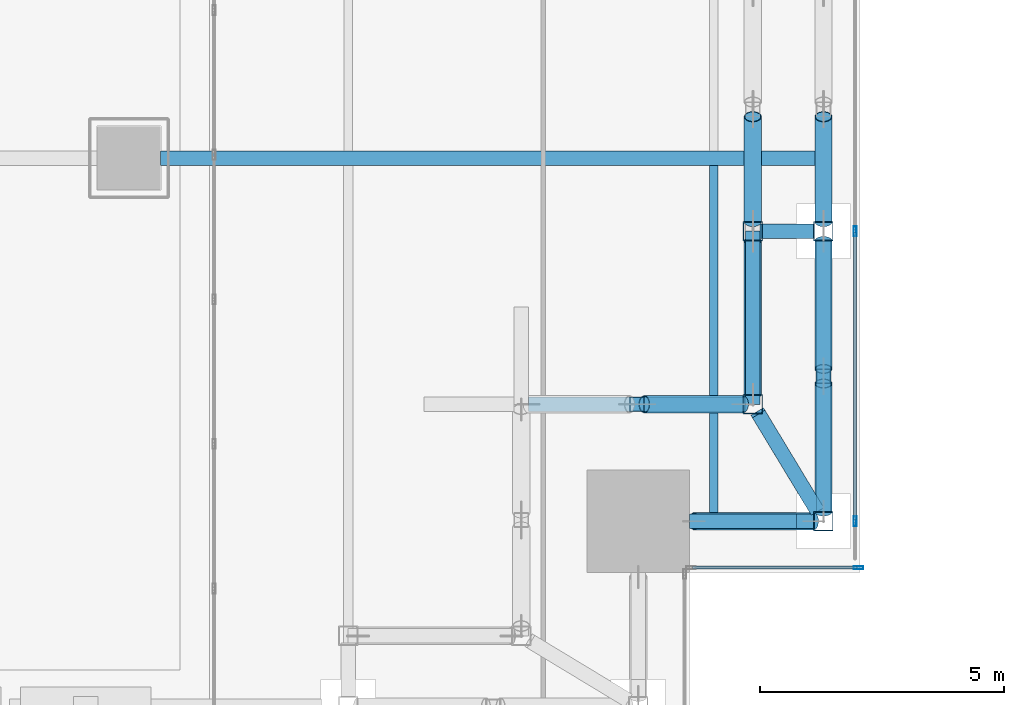
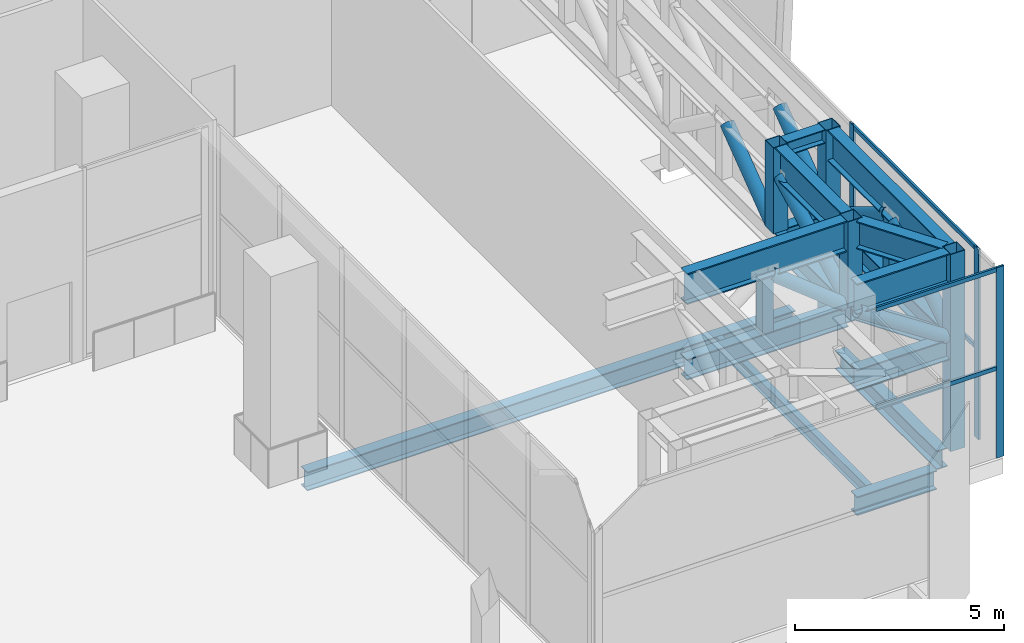
# One storey, part 14 of 47: 28 members, 8 beams, 2 elements without a shape of their own.
"""IFC4 building model written with IfcOpenShell, lengths in metres."""

from ifc_helpers import new_model, si_unit, direction, frame, origin, origin_2d, place, context, subcontext, project, spatial, hollow_rectangle, hollow_circle, i_section, extrude, source, transform, mapped, material, material_profile, profile_set, type_object, element, aggregate, save


model = new_model("IFC4")

# Units and contexts
model_context = context("Model", 3, precision=1e-05, world=origin(), true_north=direction((0.0, 1.0)))
body_context = subcontext(model_context, "Body", "Model", "MODEL_VIEW")
ifc_project = project(units=[si_unit("LENGTHUNIT", "METRE"), si_unit("AREAUNIT", "SQUARE_METRE"), si_unit("VOLUMEUNIT", "CUBIC_METRE"), si_unit("PLANEANGLEUNIT", "RADIAN"), si_unit("MASSUNIT", "GRAM", prefix="KILO")], contexts=[model_context])

# Site, building, storey
site_placement = place(None, origin())
site = spatial("IfcSite", under=ifc_project, at=site_placement, CompositionType="ELEMENT")
building_placement = place(site_placement, origin())
building = spatial("IfcBuilding", under=site, at=building_placement, Name="Khomas Fold Tower", CompositionType="ELEMENT")
storey_placement = place(building_placement, frame((0.0, 0.0, 158.699951171875)))
storey = spatial("IfcBuildingStorey", under=building, at=storey_placement, Name="L34", CompositionType="ELEMENT", Elevation=158.699951171875)

# Beams
ifc_material_1 = material(Name="Steel S355", Category="steel")
ifc_material_profile_1 = material_profile(ifc_material_1, i_section(OverallWidth=0.169921875, OverallDepth=0.360107421875, WebThickness=0.008056640625, FlangeThickness=0.0126953125, at=origin_2d()), Name="IPE 360")
ifc_profile_set_1 = profile_set([ifc_material_profile_1], Name="Steel S355")
beam_type_1 = type_object("IfcBeamType", Name="IPE 360 beam JB2", PredefinedType="BEAM", material=ifc_profile_set_1)
shared_shape_1 = source(origin(), body_context, "Body", "SweptSolid", [
    extrude(i_section(OverallWidth=0.169921875, OverallDepth=0.360107421875, WebThickness=0.008056640625, FlangeThickness=0.0126953125, at=origin_2d()), origin(), (0.0, 0.0, 1.0), 7.150146484375),
])
beam_1_placement = place(storey_placement, frame((49.5, 6.199951171875, -0.6298828125), z_axis=(0.0, 1.0, 0.0), x_axis=(-1.0, 0.0, 0.0)))
element("IfcBeam", 1, at=beam_1_placement, inside=storey, type_object=beam_type_1, Name="JB2", PredefinedType="BEAM", context=body_context, shape_type="MappedRepresentation", body=[
    mapped(shared_shape_1, transform((0.0, 0.0, 0.0))),
])
ifc_material_2 = material(Name="Steel S355", Category="steel")
ifc_material_profile_2 = material_profile(ifc_material_2, i_section(OverallWidth=0.300048828125, OverallDepth=0.550048828125, WebThickness=0.014892578125, FlangeThickness=0.029052734375, at=origin_2d()), Name="HE 550 B")
ifc_profile_set_2 = profile_set([ifc_material_profile_2], Name="Steel S355")
beam_type_2 = type_object("IfcBeamType", Name="HE 550 B spandrel SB2", PredefinedType="SPANDREL", material=ifc_profile_set_2)
shared_shape_2 = source(origin(), body_context, "Body", "SweptSolid", [
    extrude(i_section(OverallWidth=0.300048828125, OverallDepth=0.550048828125, WebThickness=0.014892578125, FlangeThickness=0.029052734375, at=origin_2d()), origin(), (0.0, 0.0, 1.0), 4.849853515625),
])
beam_2_placement = place(storey_placement, frame((51.75, 6.60009765625, -0.724853515625), z_axis=(0.0, 1.0, 0.0), x_axis=(-1.0, 0.0, 0.0)))
element("IfcBeam", 2, at=beam_2_placement, inside=storey, type_object=beam_type_2, Name="SB2", PredefinedType="SPANDREL", context=body_context, shape_type="MappedRepresentation", body=[
    mapped(shared_shape_2, transform((0.0, 0.0, 0.0))),
])
shared_shape_3 = source(origin(), body_context, "Body", "SweptSolid", [
    extrude(i_section(OverallWidth=0.300048828125, OverallDepth=0.550048828125, WebThickness=0.014892578125, FlangeThickness=0.029052734375, at=origin_2d()), origin(), (0.0, 0.0, 1.0), 2.199951171875),
])
beam_3_placement = place(storey_placement, frame((49.0, 6.050048828125, -0.724853515625), z_axis=(1.0, 0.0, 0.0), x_axis=(0.0, 1.0, 0.0)))
element("IfcBeam", 3, at=beam_3_placement, inside=storey, type_object=beam_type_2, Name="SB2", PredefinedType="SPANDREL", context=body_context, shape_type="MappedRepresentation", body=[
    mapped(shared_shape_3, transform((0.0, 0.0, 0.0))),
])
ifc_material_3 = material(Name="Steel S355", Category="steel")
ifc_material_profile_3 = material_profile(ifc_material_3, i_section(OverallWidth=0.300048828125, OverallDepth=0.550048828125, WebThickness=0.014892578125, FlangeThickness=0.029052734375, at=origin_2d()), Name="HE 550 B")
ifc_profile_set_3 = profile_set([ifc_material_profile_3], Name="Steel S355")
beam_type_3 = type_object("IfcBeamType", Name="HE 550 B beam GB4", PredefinedType="BEAM", material=ifc_profile_set_3)
shared_shape_4 = source(origin(), body_context, "Body", "SweptSolid", [
    extrude(i_section(OverallWidth=0.300048828125, OverallDepth=0.550048828125, WebThickness=0.014892578125, FlangeThickness=0.029052734375, at=origin_2d()), origin(), (0.0, 0.0, 1.0), 13.4501953125),
])
beam_4_placement = place(storey_placement, frame((38.14990234375, 13.5, -0.724853515625), z_axis=(1.0, 0.0, 0.0), x_axis=(0.0, 1.0, 0.0)))
element("IfcBeam", 4, at=beam_4_placement, inside=storey, type_object=beam_type_3, Name="GB4", PredefinedType="BEAM", context=body_context, shape_type="MappedRepresentation", body=[
    mapped(shared_shape_4, transform((0.0, 0.0, 0.0))),
])

# Members
ifc_material_4 = material(Name="Steel S460M", Category="steel")
ifc_material_profile_4 = material_profile(ifc_material_4, i_section(OverallWidth=0.300048828125, OverallDepth=0.89990234375, WebThickness=0.0185546875, FlangeThickness=0.034912109375, at=origin_2d()), Name="HE 900 B")
ifc_profile_set_4 = profile_set([ifc_material_profile_4], Name="Steel S460M")
member_type_1 = type_object("IfcMemberType", Name="BELT TRUSS 2 TOP CHORD HE 900 B", PredefinedType="CHORD", material=ifc_profile_set_4)
shared_shape_5 = source(origin(), body_context, "Body", "SweptSolid", [
    extrude(i_section(OverallWidth=0.300048828125, OverallDepth=0.89990234375, WebThickness=0.0185546875, FlangeThickness=0.034912109375, at=origin_2d()), origin(), (0.0, 0.0, 1.0), 5.550048828125),
])
member_1_placement = place(storey_placement, frame((51.75, 6.25, 5.300048828125), z_axis=(0.0, 1.0, 0.0), x_axis=(-1.0, 0.0, 0.0)))
element("IfcMember", 5, at=member_1_placement, inside=storey, type_object=member_type_1, Name="BT2-CT", PredefinedType="CHORD", context=body_context, shape_type="MappedRepresentation", body=[
    mapped(shared_shape_5, transform((0.0, 0.0, 0.0))),
])
ifc_material_5 = material(Name="Steel S355", Category="steel")
ifc_material_profile_5 = material_profile(ifc_material_5, i_section(OverallWidth=0.300048828125, OverallDepth=0.60009765625, WebThickness=0.015380859375, FlangeThickness=0.030029296875, at=origin_2d()), Name="HE 600 B")
ifc_profile_set_5 = profile_set([ifc_material_profile_5], Name="Steel S355")
member_type_2 = type_object("IfcMemberType", Name="BELT TRUSS 2 BOTTOM CHORD SHORT HE 600 B", PredefinedType="CHORD", material=ifc_profile_set_5)
shared_shape_6 = source(origin(), body_context, "Body", "SweptSolid", [
    extrude(i_section(OverallWidth=0.300048828125, OverallDepth=0.60009765625, WebThickness=0.015380859375, FlangeThickness=0.030029296875, at=origin_2d()), origin(), (0.0, 0.0, 1.0), 5.550048828125),
])
member_2_placement = place(storey_placement, frame((51.75, 6.25, 2.949951171875), z_axis=(0.0, 1.0, 0.0), x_axis=(-1.0, 0.0, 0.0)))
element("IfcMember", 6, at=member_2_placement, inside=storey, type_object=member_type_2, Name="BT2-CBS", PredefinedType="CHORD", context=body_context, shape_type="MappedRepresentation", body=[
    mapped(shared_shape_6, transform((0.0, 0.0, 0.0))),
])
ifc_material_6 = material(Name="Steel S355", Category="steel")
ifc_material_profile_6 = material_profile(ifc_material_6, hollow_circle(Radius=0.177734375, WallThickness=0.01611328125, at=origin_2d()), Name="CHS 355.6x16")
ifc_profile_set_6 = profile_set([ifc_material_profile_6], Name="Steel S355")
member_type_3 = type_object("IfcMemberType", Name="BELT TRUSS 2 DIAGONAL CHS 355.6x16", PredefinedType="BRACE", material=ifc_profile_set_6)
shared_shape_7 = source(origin(), body_context, "Body", "SweptSolid", [
    extrude(hollow_circle(Radius=0.177734375, WallThickness=0.01611328125, at=origin_2d()), origin(), (0.0, 0.0, 1.0), 3.079345703125),
])
for number, where, z_axis, x_axis, name in (
    (7, (51.75, 6.25, 3.2451171875), (0.0, 0.852457646083, 0.522796290762), (-1.0, 0.0, 0.0), "BT2-D"),
    (8, (51.75, 9.175048828125, 4.85498046875), (0.0, 0.852457646083, -0.522796290762), (-1.0, 0.0, 0.0), "BT2-D"),
):
    element("IfcMember", number, at=place(storey_placement, frame(where, z_axis=z_axis, x_axis=x_axis)), inside=storey, type_object=member_type_3, Name=name, PredefinedType="BRACE", context=body_context, shape_type="MappedRepresentation", body=[
        mapped(shared_shape_7, transform((0.0, 0.0, 0.0))),
    ])
ifc_material_7 = material(Name="Steel S355", Category="steel")
ifc_material_profile_7 = material_profile(ifc_material_7, hollow_rectangle(XDim=0.300048828125, YDim=0.300048828125, WallThickness=0.012451171875, at=origin_2d()), Name="SHS 300x300x12.5")
ifc_profile_set_7 = profile_set([ifc_material_profile_7], Name="Steel S355")
member_type_4 = type_object("IfcMemberType", Name="BELT TRUSS 2 MID POST SHS 300x300x12.5", PredefinedType="POST", material=ifc_profile_set_7)
shared_shape_8 = source(origin(), body_context, "Body", "SweptSolid", [
    extrude(hollow_rectangle(XDim=0.300048828125, YDim=0.300048828125, WallThickness=0.012451171875, at=origin_2d()), origin(), (0.0, 0.0, 1.0), 1.60009765625),
])
for number, where, z_axis, x_axis, name in (
    (9, (51.75, 9.02490234375, 3.25), (0.0, 0.0, 1.0), (1.0, 0.0, 0.0), "BT2-M"),
    (10, (47.925048828125, 8.449951171875, 3.25), (0.0, 0.0, 1.0), (1.0, 0.0, 0.0), "BT2-M"),
):
    element("IfcMember", number, at=place(storey_placement, frame(where, z_axis=z_axis, x_axis=x_axis)), inside=storey, type_object=member_type_4, Name=name, PredefinedType="POST", context=body_context, shape_type="MappedRepresentation", body=[
        mapped(shared_shape_8, transform((0.0, 0.0, 0.0))),
    ])
shared_shape_9 = source(origin(), body_context, "Body", "SweptSolid", [
    extrude(hollow_circle(Radius=0.177734375, WallThickness=0.01611328125, at=origin_2d()), origin(), (0.0, 0.0, 1.0), 2.68603515625),
])
for number, where, z_axis, x_axis, name in (
    (11, (51.75, 12.199951171875, 3.2451171875), (0.0, 0.800490552016, 0.599345372998), (-1.0, 0.0, 0.0), "BT2-D"),
    (12, (50.300048828125, 12.199951171875, 3.2451171875), (0.0, 0.800490552016, 0.599345372998), (-1.0, 0.0, 0.0), "BT2-D"),
):
    element("IfcMember", number, at=place(storey_placement, frame(where, z_axis=z_axis, x_axis=x_axis)), inside=storey, type_object=member_type_3, Name=name, PredefinedType="BRACE", context=body_context, shape_type="MappedRepresentation", body=[
        mapped(shared_shape_9, transform((0.0, 0.0, 0.0))),
    ])
ifc_material_8 = material(Name="Steel S460M", Category="steel")
ifc_material_profile_8 = material_profile(ifc_material_8, i_section(OverallWidth=0.300048828125, OverallDepth=0.89990234375, WebThickness=0.0185546875, FlangeThickness=0.034912109375, at=origin_2d()), Name="HE 900 B")
ifc_profile_set_8 = profile_set([ifc_material_profile_8], Name="Steel S460M")
member_type_5 = type_object("IfcMemberType", Name="BELT TRUSS 2 TOP CHORD SHORTER HE 900 B", PredefinedType="CHORD", material=ifc_profile_set_8)
shared_shape_10 = source(origin(), body_context, "Body", "SweptSolid", [
    extrude(i_section(OverallWidth=0.300048828125, OverallDepth=0.89990234375, WebThickness=0.0185546875, FlangeThickness=0.034912109375, at=origin_2d()), origin(), (0.0, 0.0, 1.0), 2.550048828125),
])
member_3_placement = place(storey_placement, frame((51.550048828125, 6.050048828125, 5.300048828125), z_axis=(-1.0, 0.0, 0.0), x_axis=(0.0, -1.0, 0.0)))
element("IfcMember", 13, at=member_3_placement, inside=storey, type_object=member_type_5, Name="BT2-CTSS", PredefinedType="CHORD", context=body_context, shape_type="MappedRepresentation", body=[
    mapped(shared_shape_10, transform((0.0, 0.0, 0.0))),
])
ifc_material_9 = material(Name="Steel S355", Category="steel")
ifc_material_profile_9 = material_profile(ifc_material_9, i_section(OverallWidth=0.300048828125, OverallDepth=0.60009765625, WebThickness=0.015380859375, FlangeThickness=0.030029296875, at=origin_2d()), Name="HE 600 B")
ifc_profile_set_9 = profile_set([ifc_material_profile_9], Name="Steel S355")
member_type_6 = type_object("IfcMemberType", Name="BELT TRUSS 2 BOTTOM CHORD SHORTER HE 600 B", PredefinedType="CHORD", material=ifc_profile_set_9)
shared_shape_11 = source(origin(), body_context, "Body", "SweptSolid", [
    extrude(i_section(OverallWidth=0.300048828125, OverallDepth=0.60009765625, WebThickness=0.015380859375, FlangeThickness=0.030029296875, at=origin_2d()), origin(), (0.0, 0.0, 1.0), 2.550048828125),
])
member_4_placement = place(storey_placement, frame((51.550048828125, 6.050048828125, 2.949951171875), z_axis=(-1.0, 0.0, 0.0), x_axis=(0.0, -1.0, 0.0)))
element("IfcMember", 14, at=member_4_placement, inside=storey, type_object=member_type_6, Name="BT2-CBSS", PredefinedType="CHORD", context=body_context, shape_type="MappedRepresentation", body=[
    mapped(shared_shape_11, transform((0.0, 0.0, 0.0))),
])
shared_shape_12 = source(origin(), body_context, "Body", "SweptSolid", [
    extrude(hollow_circle(Radius=0.177734375, WallThickness=0.01611328125, at=origin_2d()), origin(), (0.0, 0.0, 1.0), 2.936279296875),
])
member_5_placement = place(storey_placement, frame((51.550048828125, 6.050048828125, 3.2451171875), z_axis=(-0.836298117849, 0.0, 0.548274984002), x_axis=(0.0, -1.0, 0.0)))
element("IfcMember", 15, at=member_5_placement, inside=storey, type_object=member_type_3, Name="BT2-D", PredefinedType="BRACE", context=body_context, shape_type="MappedRepresentation", body=[
    mapped(shared_shape_12, transform((0.0, 0.0, 0.0))),
])
ifc_material_10 = material(Name="Steel S460M", Category="steel")
ifc_material_profile_10 = material_profile(ifc_material_10, i_section(OverallWidth=0.300048828125, OverallDepth=0.89990234375, WebThickness=0.0185546875, FlangeThickness=0.034912109375, at=origin_2d()), Name="HE 900 B")
ifc_profile_set_10 = profile_set([ifc_material_profile_10], Name="Steel S460M")
member_type_7 = type_object("IfcMemberType", Name="BELT TRUSS 2 TOP CHORD SHORT HE 900 B", PredefinedType="CHORD", material=ifc_profile_set_10)
shared_shape_13 = source(origin(), body_context, "Body", "SweptSolid", [
    extrude(i_section(OverallWidth=0.300048828125, OverallDepth=0.89990234375, WebThickness=0.0185546875, FlangeThickness=0.034912109375, at=origin_2d()), origin(), (0.0, 0.0, 1.0), 3.150146484375),
])
member_6_placement = place(storey_placement, frame((50.300048828125, 8.64990234375, 5.300048828125), z_axis=(0.0, 1.0, 0.0), x_axis=(-1.0, 0.0, 0.0)))
element("IfcMember", 16, at=member_6_placement, inside=storey, type_object=member_type_7, Name="BT2-CTS", PredefinedType="CHORD", context=body_context, shape_type="MappedRepresentation", body=[
    mapped(shared_shape_13, transform((0.0, 0.0, 0.0))),
])
shared_shape_14 = source(origin(), body_context, "Body", "SweptSolid", [
    extrude(hollow_circle(Radius=0.177734375, WallThickness=0.01611328125, at=origin_2d()), origin(), (0.0, 0.0, 1.0), 3.53759765625),
])
member_7_placement = place(storey_placement, frame((50.300048828125, 8.64990234375, 3.2451171875), z_axis=(0.0, 0.890458918819, 0.455063637193), x_axis=(-1.0, 0.0, 0.0)))
element("IfcMember", 17, at=member_7_placement, inside=storey, type_object=member_type_3, Name="BT2-D", PredefinedType="BRACE", context=body_context, shape_type="MappedRepresentation", body=[
    mapped(shared_shape_14, transform((0.0, 0.0, 0.0))),
])
shared_shape_15 = source(origin(), body_context, "Body", "SweptSolid", [
    extrude(i_section(OverallWidth=0.300048828125, OverallDepth=0.60009765625, WebThickness=0.015380859375, FlangeThickness=0.030029296875, at=origin_2d()), origin(), (0.0, 0.0, 1.0), 3.550048828125),
])
member_8_placement = place(storey_placement, frame((50.300048828125, 8.449951171875, 2.949951171875), z_axis=(0.0, 1.0, 0.0), x_axis=(-1.0, 0.0, 0.0)))
element("IfcMember", 18, at=member_8_placement, inside=storey, type_object=member_type_6, Name="BT2-CBSS", PredefinedType="CHORD", context=body_context, shape_type="MappedRepresentation", body=[
    mapped(shared_shape_15, transform((0.0, 0.0, 0.0))),
])
shared_shape_16 = source(origin(), body_context, "Body", "SweptSolid", [
    extrude(hollow_circle(Radius=0.177734375, WallThickness=0.01611328125, at=origin_2d()), origin(), (0.0, 0.0, 1.0), 2.587158203125),
])
member_9_placement = place(storey_placement, frame((50.10009765625, 8.449951171875, 3.2451171875), z_axis=(-0.782798501994, 0.0, 0.622275264876), x_axis=(0.0, -1.0, 0.0)))
element("IfcMember", 19, at=member_9_placement, inside=storey, type_object=member_type_3, Name="BT2-D", PredefinedType="BRACE", context=body_context, shape_type="MappedRepresentation", body=[
    mapped(shared_shape_16, transform((0.0, 0.0, 0.0))),
])
shared_shape_17 = source(origin(), body_context, "Body", "SweptSolid", [
    extrude(i_section(OverallWidth=0.300048828125, OverallDepth=0.89990234375, WebThickness=0.0185546875, FlangeThickness=0.034912109375, at=origin_2d()), origin(), (0.0, 0.0, 1.0), 4.400146484375),
])
member_10_placement = place(storey_placement, frame((50.10009765625, 8.449951171875, 5.300048828125), z_axis=(-1.0, 0.0, 0.0), x_axis=(0.0, -1.0, 0.0)))
element("IfcMember", 20, at=member_10_placement, inside=storey, type_object=member_type_7, Name="BT2-CTS", PredefinedType="CHORD", context=body_context, shape_type="MappedRepresentation", body=[
    mapped(shared_shape_17, transform((0.0, 0.0, 0.0))),
])
shared_shape_18 = source(origin(), body_context, "Body", "SweptSolid", [
    extrude(i_section(OverallWidth=0.300048828125, OverallDepth=0.60009765625, WebThickness=0.015380859375, FlangeThickness=0.030029296875, at=origin_2d()), origin(), (0.0, 0.0, 1.0), 4.449951171875),
])
member_11_placement = place(storey_placement, frame((50.14990234375, 8.449951171875, 2.949951171875), z_axis=(-1.0, 0.0, 0.0), x_axis=(0.0, -1.0, 0.0)))
element("IfcMember", 21, at=member_11_placement, inside=storey, type_object=member_type_2, Name="BT2-CBS", PredefinedType="CHORD", context=body_context, shape_type="MappedRepresentation", body=[
    mapped(shared_shape_18, transform((0.0, 0.0, 0.0))),
])
ifc_material_11 = material(Name="Steel S460M", Category="steel")
ifc_material_profile_11 = material_profile(ifc_material_11, hollow_rectangle(XDim=0.39990234375, YDim=0.39990234375, WallThickness=0.01611328125, at=origin_2d()), Name="SHS 400x400x16")
ifc_profile_set_11 = profile_set([ifc_material_profile_11], Name="Steel S460M")
member_type_8 = type_object("IfcMemberType", Name="BELT TRUSS 2 COLUMN POST SHS 400x400x16", PredefinedType="POST", material=ifc_profile_set_11)
shared_shape_19 = source(origin(), body_context, "Body", "SweptSolid", [
    extrude(hollow_rectangle(XDim=0.39990234375, YDim=0.39990234375, WallThickness=0.01611328125, at=origin_2d()), origin(), (0.0, 0.0, 1.0), 5.75),
])
for number, where, z_axis, x_axis, name in (
    (22, (51.75, 6.050048828125, 0.0), (0.0, 0.0, 1.0), (1.0, 0.0, 0.0), "BT2-P"),
    (23, (51.75, 12.0, 0.0), (0.0, 0.0, 1.0), (1.0, 0.0, 0.0), "BT2-P"),
):
    element("IfcMember", number, at=place(storey_placement, frame(where, z_axis=z_axis, x_axis=x_axis)), inside=storey, type_object=member_type_8, Name=name, PredefinedType="POST", context=body_context, shape_type="MappedRepresentation", body=[
        mapped(shared_shape_19, transform((0.0, 0.0, 0.0))),
    ])
ifc_material_12 = material(Name="Steel S460M", Category="steel")
ifc_material_profile_12 = material_profile(ifc_material_12, hollow_rectangle(XDim=0.39990234375, YDim=0.39990234375, WallThickness=0.01611328125, at=origin_2d()), Name="SHS 400x400x16")
ifc_profile_set_12 = profile_set([ifc_material_profile_12], Name="Steel S460M")
member_type_9 = type_object("IfcMemberType", Name="BELT TRUSS 2 COLUMN POST SHORT SHS 400x400x16", PredefinedType="POST", material=ifc_profile_set_12)
shared_shape_20 = source(origin(), body_context, "Body", "SweptSolid", [
    extrude(hollow_rectangle(XDim=0.39990234375, YDim=0.39990234375, WallThickness=0.01611328125, at=origin_2d()), origin(), (0.0, 0.0, 1.0), 2.5),
])
for number, where, z_axis, x_axis, name in (
    (24, (50.300048828125, 8.449951171875, 3.25), (0.0, 0.0, 1.0), (1.0, 0.0, 0.0), "BT2-PS"),
    (25, (50.300048828125, 12.0, 3.25), (0.0, 0.0, 1.0), (1.0, 0.0, 0.0), "BT2-PS"),
):
    element("IfcMember", number, at=place(storey_placement, frame(where, z_axis=z_axis, x_axis=x_axis)), inside=storey, type_object=member_type_9, Name=name, PredefinedType="POST", context=body_context, shape_type="MappedRepresentation", body=[
        mapped(shared_shape_20, transform((0.0, 0.0, 0.0))),
    ])

# Beams
ifc_material_13 = material(Name="Steel S460M", Category="steel")
ifc_material_profile_13 = material_profile(ifc_material_13, i_section(OverallWidth=0.300048828125, OverallDepth=0.800048828125, WebThickness=0.017578125, FlangeThickness=0.032958984375, at=origin_2d()), Name="HE 800 B")
ifc_profile_set_13 = profile_set([ifc_material_profile_13], Name="Steel S460M")
beam_type_4 = type_object("IfcBeamType", Name="BELT TRUSS 2 TOP TRANSFER STRUT HE 800 B", PredefinedType="BEAM", material=ifc_profile_set_13)
shared_shape_21 = source(origin(), body_context, "Body", "SweptSolid", [
    extrude(i_section(OverallWidth=0.300048828125, OverallDepth=0.800048828125, WebThickness=0.017578125, FlangeThickness=0.032958984375, at=origin_2d()), origin(), (0.0, 0.0, 1.0), 2.336669921875),
])
beam_5_placement = place(storey_placement, frame((50.4208984375, 8.25, 5.35009765625), z_axis=(0.517090125061, -0.855930956657, 0.0), x_axis=(0.855930956657, 0.517090125061, 0.0)))
element("IfcBeam", 26, at=beam_5_placement, inside=storey, type_object=beam_type_4, Name="BT2-STD", PredefinedType="BEAM", context=body_context, shape_type="MappedRepresentation", body=[
    mapped(shared_shape_21, transform((0.0, 0.0, 0.0))),
])
ifc_material_14 = material(Name="Steel S355", Category="steel")
ifc_material_profile_14 = material_profile(ifc_material_14, i_section(OverallWidth=0.300048828125, OverallDepth=0.39990234375, WebThickness=0.013427734375, FlangeThickness=0.02392578125, at=origin_2d()), Name="HE 400 B")
ifc_profile_set_14 = profile_set([ifc_material_profile_14], Name="Steel S355")
beam_type_5 = type_object("IfcBeamType", Name="BELT TRUSS 2 BOTTOM STRUT LONG HE 400 B", PredefinedType="BEAM", material=ifc_profile_set_14)
shared_shape_22 = source(origin(), body_context, "Body", "SweptSolid", [
    extrude(i_section(OverallWidth=0.300048828125, OverallDepth=0.39990234375, WebThickness=0.013427734375, FlangeThickness=0.02392578125, at=origin_2d()), origin(), (0.0, 0.0, 1.0), 2.39501953125),
])
beam_6_placement = place(storey_placement, frame((50.390625, 8.300048828125, 3.050048828125), z_axis=(0.51710163837, -0.855924001063, 0.0), x_axis=(0.855924001063, 0.51710163837, 0.0)))
element("IfcBeam", 27, at=beam_6_placement, inside=storey, type_object=beam_type_5, Name="BT2-SBL", PredefinedType="BEAM", context=body_context, shape_type="MappedRepresentation", body=[
    mapped(shared_shape_22, transform((0.0, 0.0, 0.0))),
])
ifc_material_15 = material(Name="Steel S355", Category="steel")
ifc_material_profile_15 = material_profile(ifc_material_15, i_section(OverallWidth=0.300048828125, OverallDepth=0.39990234375, WebThickness=0.013427734375, FlangeThickness=0.02392578125, at=origin_2d()), Name="HE 400 B")
ifc_profile_set_15 = profile_set([ifc_material_profile_15], Name="Steel S355")
beam_type_6 = type_object("IfcBeamType", Name="BELT TRUSS 2 TOP STRUT HE 400 B", PredefinedType="BEAM", material=ifc_profile_set_15)
shared_shape_23 = source(origin(), body_context, "Body", "SweptSolid", [
    extrude(i_section(OverallWidth=0.300048828125, OverallDepth=0.39990234375, WebThickness=0.013427734375, FlangeThickness=0.02392578125, at=origin_2d()), origin(), (0.0, 0.0, 1.0), 1.050048828125),
])
beam_7_placement = place(storey_placement, frame((50.5, 12.0, 5.550048828125), z_axis=(1.0, 0.0, 0.0), x_axis=(0.0, 1.0, 0.0)))
element("IfcBeam", 28, at=beam_7_placement, inside=storey, type_object=beam_type_6, Name="BT2-ST", PredefinedType="BEAM", context=body_context, shape_type="MappedRepresentation", body=[
    mapped(shared_shape_23, transform((0.0, 0.0, 0.0))),
])
ifc_material_16 = material(Name="Steel S355", Category="steel")
ifc_material_profile_16 = material_profile(ifc_material_16, i_section(OverallWidth=0.300048828125, OverallDepth=0.39990234375, WebThickness=0.013427734375, FlangeThickness=0.02392578125, at=origin_2d()), Name="HE 400 B")
ifc_profile_set_16 = profile_set([ifc_material_profile_16], Name="Steel S355")
beam_type_7 = type_object("IfcBeamType", Name="BELT TRUSS 2 BOTTOM STRUT HE 400 B", PredefinedType="BEAM", material=ifc_profile_set_16)
shared_shape_24 = source(origin(), body_context, "Body", "SweptSolid", [
    extrude(i_section(OverallWidth=0.300048828125, OverallDepth=0.39990234375, WebThickness=0.013427734375, FlangeThickness=0.02392578125, at=origin_2d()), origin(), (0.0, 0.0, 1.0), 1.10009765625),
])
beam_8_placement = place(storey_placement, frame((50.449951171875, 12.0, 3.050048828125), z_axis=(1.0, 0.0, 0.0), x_axis=(0.0, 1.0, 0.0)))
element("IfcBeam", 29, at=beam_8_placement, inside=storey, type_object=beam_type_7, Name="BT2-SB", PredefinedType="BEAM", context=body_context, shape_type="MappedRepresentation", body=[
    mapped(shared_shape_24, transform((0.0, 0.0, 0.0))),
])

# Curtain wall, members
ifc_material_17 = material(Name="Aluminium framed double glazing", Category="aluminium")
curtain_wall_type = type_object("IfcCurtainWallType", Name="SK-Unitised clear-glass wall, growing floors CW1", PredefinedType="NOTDEFINED", material=ifc_material_17)
curtain_wall_1_placement = place(storey_placement, origin())
curtain_wall_1 = element("IfcCurtainWall", 30, at=curtain_wall_1_placement, inside=storey, type_object=curtain_wall_type, Name="CW1 run L34 08-0", PredefinedType="NOTDEFINED")
ifc_material_18 = material(Name="Aluminium", Category="aluminium")
ifc_material_profile_17 = material_profile(ifc_material_18, hollow_rectangle(XDim=0.06005859375, YDim=0.1201171875, WallThickness=0.00390625, at=origin_2d()), Name="SK-Unitised clear-glass wall, growing floors transom CW1-T")
ifc_profile_set_17 = profile_set([ifc_material_profile_17], Name="Aluminium")
member_type_10 = type_object("IfcMemberType", Name="SK-Unitised clear-glass wall, growing floors transom CW1-T", PredefinedType="USERDEFINED", material=ifc_profile_set_17)
shared_shape_25 = source(origin(), body_context, "Body", "SweptSolid", [
    extrude(hollow_rectangle(XDim=0.06005859375, YDim=0.1201171875, WallThickness=0.00390625, at=origin_2d()), origin(), (0.0, 0.0, 1.0), 5.889892578125),
])
member_12_placement = place(storey_placement, frame((52.39990234375, 6.080078125, 5.489990234375), z_axis=(0.0, 1.0, 0.0), x_axis=(-1.0, 0.0, 0.0)))
member_12 = element("IfcMember", 31, at=member_12_placement, type_object=member_type_10, Name="CW1 transom 2", ObjectType="TRANSOM", PredefinedType="USERDEFINED", context=body_context, shape_type="MappedRepresentation", body=[
    mapped(shared_shape_25, transform((0.0, 0.0, 0.0))),
])
member_13_placement = place(storey_placement, frame((52.39990234375, 6.080078125, 2.6171875), z_axis=(0.0, 1.0, 0.0), x_axis=(-1.0, 0.0, 0.0)))
member_13 = element("IfcMember", 32, at=member_13_placement, type_object=member_type_10, Name="CW1 transom 2 (truss floor)", ObjectType="TRANSOM", PredefinedType="USERDEFINED", context=body_context, shape_type="MappedRepresentation", body=[
    mapped(shared_shape_25, transform((0.0, 0.0, 0.0))),
])

curtain_wall_2_placement = place(storey_placement, origin())
curtain_wall_2 = element("IfcCurtainWall", 33, at=curtain_wall_2_placement, inside=storey, type_object=curtain_wall_type, Name="CW1 corner return L34 07", PredefinedType="NOTDEFINED")
shared_shape_26 = source(origin(), body_context, "Body", "SweptSolid", [
    extrude(hollow_rectangle(XDim=0.06005859375, YDim=0.1201171875, WallThickness=0.00390625, at=origin_2d()), origin(), (0.0, 0.0, 1.0), 3.3798828125),
])
member_14_placement = place(storey_placement, frame((49.06005859375, 5.10009765625, 5.489990234375), z_axis=(1.0, 0.0, 0.0), x_axis=(0.0, 1.0, 0.0)))
member_14 = element("IfcMember", 34, at=member_14_placement, type_object=member_type_10, Name="CW1 transom 1", ObjectType="TRANSOM", PredefinedType="USERDEFINED", context=body_context, shape_type="MappedRepresentation", body=[
    mapped(shared_shape_26, transform((0.0, 0.0, 0.0))),
])
member_15_placement = place(storey_placement, frame((49.06005859375, 5.10009765625, 2.6171875), z_axis=(1.0, 0.0, 0.0), x_axis=(0.0, 1.0, 0.0)))
member_15 = element("IfcMember", 35, at=member_15_placement, type_object=member_type_10, Name="CW1 transom 1 (truss floor)", ObjectType="TRANSOM", PredefinedType="USERDEFINED", context=body_context, shape_type="MappedRepresentation", body=[
    mapped(shared_shape_26, transform((0.0, 0.0, 0.0))),
])
ifc_material_19 = material(Name="Aluminium", Category="aluminium")
ifc_material_profile_18 = material_profile(ifc_material_19, hollow_rectangle(XDim=0.06005859375, YDim=0.199951171875, WallThickness=0.00390625, at=origin_2d()), Name="SK-Unitised clear-glass wall, growing floors mullion CW1-M")
ifc_profile_set_18 = profile_set([ifc_material_profile_18], Name="Aluminium")
member_type_11 = type_object("IfcMemberType", Name="SK-Unitised clear-glass wall, growing floors mullion CW1-M", PredefinedType="MULLION", material=ifc_profile_set_18)
shared_shape_27 = source(origin(), body_context, "Body", "SweptSolid", [
    extrude(hollow_rectangle(XDim=0.06005859375, YDim=0.199951171875, WallThickness=0.00390625, at=origin_2d()), origin(), (0.0, 0.0, 1.0), 5.550048828125),
])
member_16_placement = place(storey_placement, frame((52.469970703125, 5.10009765625, 0.0), z_axis=(0.0, 0.0, 1.0), x_axis=(0.0, 1.0, 0.0)))
member_16 = element("IfcMember", 36, at=member_16_placement, type_object=member_type_11, Name="CW1 mullion 2", PredefinedType="MULLION", context=body_context, shape_type="MappedRepresentation", body=[
    mapped(shared_shape_27, transform((0.0, 0.0, 0.0))),
])
aggregate(curtain_wall_2, [member_16, member_14, member_15])

# Member
member_17_placement = place(storey_placement, frame((52.39990234375, 6.050048828125, 0.0), z_axis=(0.0, 0.0, 1.0), x_axis=(-1.0, 0.0, 0.0)))
member_17 = element("IfcMember", 37, at=member_17_placement, type_object=member_type_11, Name="CW1 mullion 2", PredefinedType="MULLION", context=body_context, shape_type="MappedRepresentation", body=[
    mapped(shared_shape_27, transform((0.0, 0.0, 0.0))),
])

member_18_placement = place(storey_placement, frame((52.39990234375, 12.0, 0.0), z_axis=(0.0, 0.0, 1.0), x_axis=(-1.0, 0.0, 0.0)))
member_18 = element("IfcMember", 38, at=member_18_placement, type_object=member_type_11, Name="CW1 mullion 3", PredefinedType="MULLION", context=body_context, shape_type="MappedRepresentation", body=[
    mapped(shared_shape_27, transform((0.0, 0.0, 0.0))),
])

aggregate(curtain_wall_1, [member_17, member_18, member_12, member_13])

save(model, "model.ifc")
